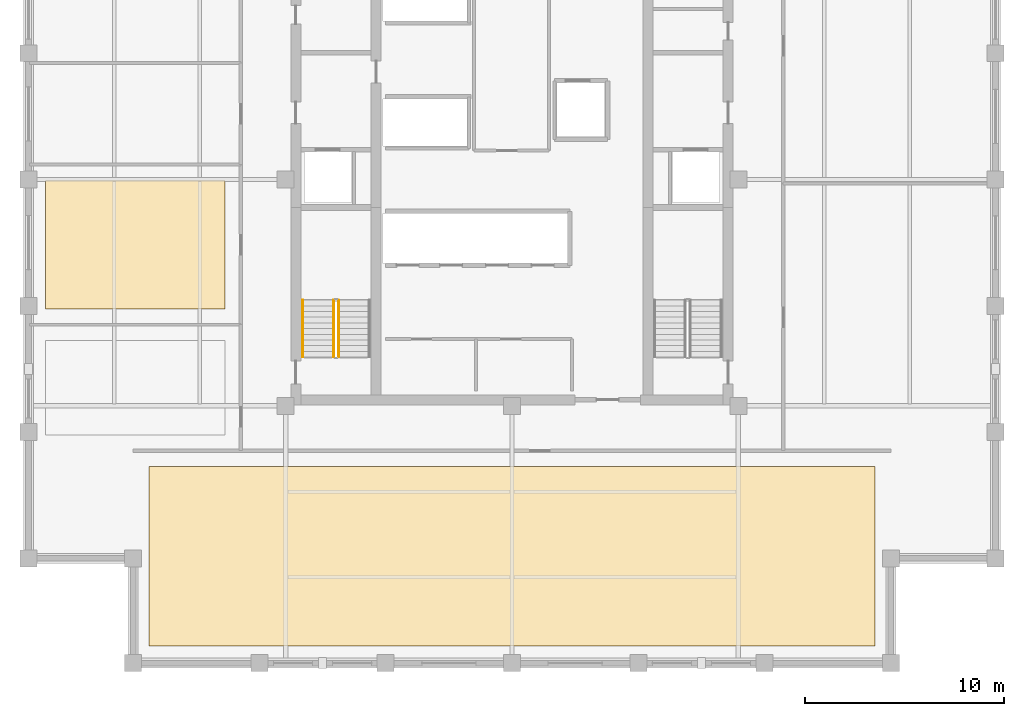
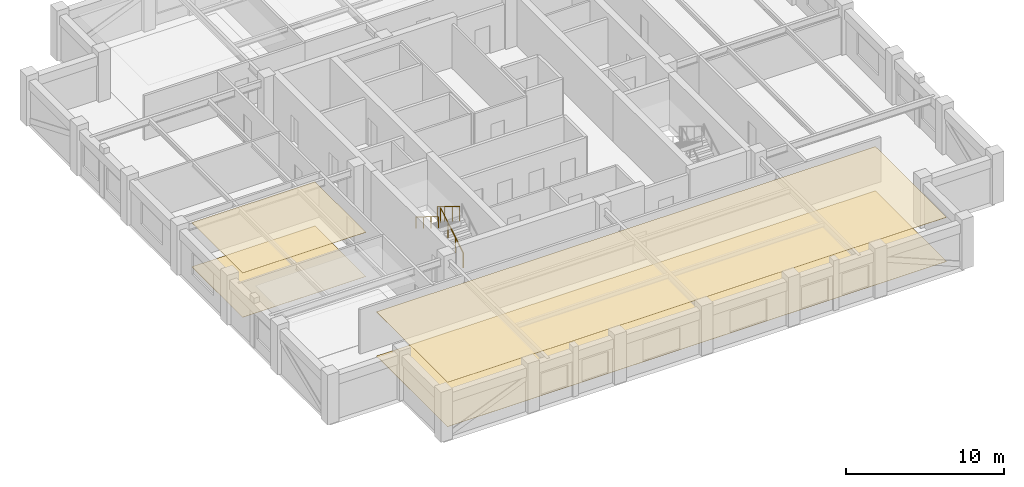
# One storey, part 7 of 9: 4 coverings, 3 railings.
"""IFC4 building model written with IfcOpenShell, lengths in metres."""

from ifc_helpers import new_model, si_unit, direction, frame, origin, origin_2d, place, context, subcontext, project, spatial, polyline, circle, outline, extrude, material, layer, layer_set, type_object, element, save


model = new_model("IFC4")

# Units and contexts
model_context = context("Model", 3, precision=1e-05, world=origin(), true_north=direction((0.0, 1.0)))
body_context = subcontext(model_context, "Body", "Model", "MODEL_VIEW")
ifc_project = project(units=[si_unit("LENGTHUNIT", "METRE"), si_unit("AREAUNIT", "SQUARE_METRE"), si_unit("VOLUMEUNIT", "CUBIC_METRE"), si_unit("PLANEANGLEUNIT", "RADIAN"), si_unit("MASSUNIT", "GRAM", prefix="KILO")], contexts=[model_context])

# Site, building, storey
site_placement = place(None, origin())
site = spatial("IfcSite", under=ifc_project, at=site_placement, CompositionType="ELEMENT")
building_placement = place(site_placement, origin())
building = spatial("IfcBuilding", under=site, at=building_placement, Name="Nhamokura Convention Tower", CompositionType="ELEMENT")
storey_placement = place(building_placement, frame((0.0, 0.0, 186.89990234375)))
storey = spatial("IfcBuildingStorey", under=building, at=storey_placement, Name="L45", CompositionType="ELEMENT", Elevation=186.89990234375)

# Coverings
ifc_material_1 = material(Name="Mineral-fibre acoustic ceiling tile", Category="gypsum")
ifc_layer_1 = layer(ifc_material_1, 0.02490234375)
ifc_layer_set_1 = layer_set([ifc_layer_1], Name="AcousticTileCeiling_25")
covering_type_1 = type_object("IfcCoveringType", Name="AcousticTileCeiling_25", PredefinedType="CEILING", material=ifc_layer_set_1)
covering_1_placement = place(storey_placement, frame((0.0, 0.0, 3.405029296875)))
element("IfcCovering", 1, at=covering_1_placement, inside=storey, type_object=covering_type_1, Name="L45 Suspended Ceiling 01", PredefinedType="CEILING", context=body_context, shape_type="SweptSolid", body=[
    extrude(outline(polyline([(13.800048828125, 8.610107421875), (50.199951171875, 8.610107421875), (50.199951171875, 17.60009765625), (13.800048828125, 17.60009765625), (13.800048828125, 8.610107421875)])), origin(), (0.0, 0.0, 1.0), 0.025146484375),
])
covering_2_placement = place(storey_placement, frame((0.0, 0.0, 3.405029296875)))
element("IfcCovering", 2, at=covering_2_placement, inside=storey, type_object=covering_type_1, Name="L45 Suspended Ceiling 06", PredefinedType="CEILING", context=body_context, shape_type="SweptSolid", body=[
    extrude(outline(polyline([(8.610107421875, 25.5166015625), (17.60009765625, 25.5166015625), (17.60009765625, 31.949951171875), (8.610107421875, 31.949951171875), (8.610107421875, 25.5166015625)])), origin(), (0.0, 0.0, 1.0), 0.025146484375),
])

# Railings
ifc_material_2 = material(Name="Anodised bronze stainless steel", Category="steel")
railing_type_1 = type_object("IfcRailingType", Name="StairWallHandrail_900", PredefinedType="HANDRAIL", material=ifc_material_2)
railing_1_placement = place(storey_placement, frame((21.5, 25.949951171875, 2.10009765625)))
element("IfcRailing", 3, at=railing_1_placement, inside=storey, type_object=railing_type_1, Name="L45 ST-01 stair handrail 2", PredefinedType="HANDRAIL", context=body_context, shape_type="SweptSolid", body=[
    extrude(circle(Radius=0.02392578125, at=origin_2d()), frame((0.0, 0.0, 0.8759765625), z_axis=(0.0, -0.852159232446, 0.523282564737), x_axis=(1.0, 0.0, 0.0)), (0.0, 0.0, 1.0), 3.34423828125),
    extrude(circle(Radius=0.02099609375, at=origin_2d()), origin(), (0.0, 0.0, 1.0), 0.851806640625),
    extrude(circle(Radius=0.02099609375, at=origin_2d()), frame((0.0, -0.949951171875, 0.583251953125)), (0.0, 0.0, 1.0), 0.851806640625),
    extrude(circle(Radius=0.02099609375, at=origin_2d()), frame((0.0, -1.89990234375, 1.166748046875)), (0.0, 0.0, 1.0), 0.851806640625),
    extrude(circle(Radius=0.02099609375, at=origin_2d()), frame((0.0, -2.849853515625, 1.75)), (0.0, 0.0, 1.0), 0.851806640625),
])
ifc_material_3 = material(Name="Painted tubular steel", Category="steel")
railing_type_2 = type_object("IfcRailingType", Name="StairWellGuardrail_1150", PredefinedType="GUARDRAIL", material=ifc_material_3)
railing_2_placement = place(storey_placement, frame((23.300048828125, 23.10009765625, 0.175048828125)))
element("IfcRailing", 4, at=railing_2_placement, inside=storey, type_object=railing_type_2, Name="L45 ST-01 stair guard 1", PredefinedType="GUARDRAIL", context=body_context, shape_type="SweptSolid", body=[
    extrude(circle(Radius=0.02392578125, at=origin_2d()), frame((0.0, 0.0, 1.1259765625), z_axis=(0.0, 0.852159232446, 0.523282564737), x_axis=(-1.0, 0.0, 0.0)), (0.0, 0.0, 1.0), 3.34423828125),
    extrude(circle(Radius=0.02099609375, at=origin_2d()), origin(), (0.0, 0.0, 1.0), 1.101806640625),
    extrude(circle(Radius=0.02099609375, at=origin_2d()), frame((0.0, 0.949951171875, 0.583251953125)), (0.0, 0.0, 1.0), 1.101806640625),
    extrude(circle(Radius=0.02099609375, at=origin_2d()), frame((0.0, 1.89990234375, 1.166748046875)), (0.0, 0.0, 1.0), 1.101806640625),
    extrude(circle(Radius=0.02099609375, at=origin_2d()), frame((0.0, 2.849853515625, 1.75)), (0.0, 0.0, 1.0), 1.101806640625),
])
railing_3_placement = place(storey_placement, frame((23.050048828125, 25.949951171875, 2.10009765625)))
element("IfcRailing", 5, at=railing_3_placement, inside=storey, type_object=railing_type_2, Name="L45 ST-01 stair guard 3", PredefinedType="GUARDRAIL", context=body_context, shape_type="SweptSolid", body=[
    extrude(circle(Radius=0.02392578125, at=origin_2d()), frame((0.0, 0.0, 1.1259765625), z_axis=(0.0, -0.852159232446, 0.523282564737), x_axis=(1.0, 0.0, 0.0)), (0.0, 0.0, 1.0), 3.34423828125),
    extrude(circle(Radius=0.02099609375, at=origin_2d()), origin(), (0.0, 0.0, 1.0), 1.101806640625),
    extrude(circle(Radius=0.02099609375, at=origin_2d()), frame((0.0, -0.949951171875, 0.583251953125)), (0.0, 0.0, 1.0), 1.101806640625),
    extrude(circle(Radius=0.02099609375, at=origin_2d()), frame((0.0, -1.89990234375, 1.166748046875)), (0.0, 0.0, 1.0), 1.101806640625),
    extrude(circle(Radius=0.02099609375, at=origin_2d()), frame((0.0, -2.849853515625, 1.75)), (0.0, 0.0, 1.0), 1.101806640625),
])

# Coverings
ifc_material_4 = material(Name="Acoustic woven hospitality carpet", Category="wood")
ifc_layer_2 = layer(ifc_material_4, 0.014892578125)
ifc_layer_set_2 = layer_set([ifc_layer_2], Name="WovenCarpetFlooring_15")
covering_type_2 = type_object("IfcCoveringType", Name="WovenCarpetFlooring_15", PredefinedType="FLOORING", material=ifc_layer_set_2)
covering_3_placement = place(storey_placement, origin())
element("IfcCovering", 6, at=covering_3_placement, inside=storey, type_object=covering_type_2, Name="L45 Finish Flooring 01", PredefinedType="FLOORING", context=body_context, shape_type="SweptSolid", body=[
    extrude(outline(polyline([(13.800048828125, 8.610107421875), (50.199951171875, 8.610107421875), (50.199951171875, 17.60009765625), (13.800048828125, 17.60009765625), (13.800048828125, 8.610107421875)])), origin(), (0.0, 0.0, 1.0), 0.01513671875),
])
covering_4_placement = place(storey_placement, origin())
element("IfcCovering", 7, at=covering_4_placement, inside=storey, type_object=covering_type_2, Name="L45 Finish Flooring 06", PredefinedType="FLOORING", context=body_context, shape_type="SweptSolid", body=[
    extrude(outline(polyline([(8.610107421875, 25.5166015625), (17.60009765625, 25.5166015625), (17.60009765625, 31.949951171875), (8.610107421875, 31.949951171875), (8.610107421875, 25.5166015625)])), origin(), (0.0, 0.0, 1.0), 0.01513671875),
])

save(model, "model.ifc")
